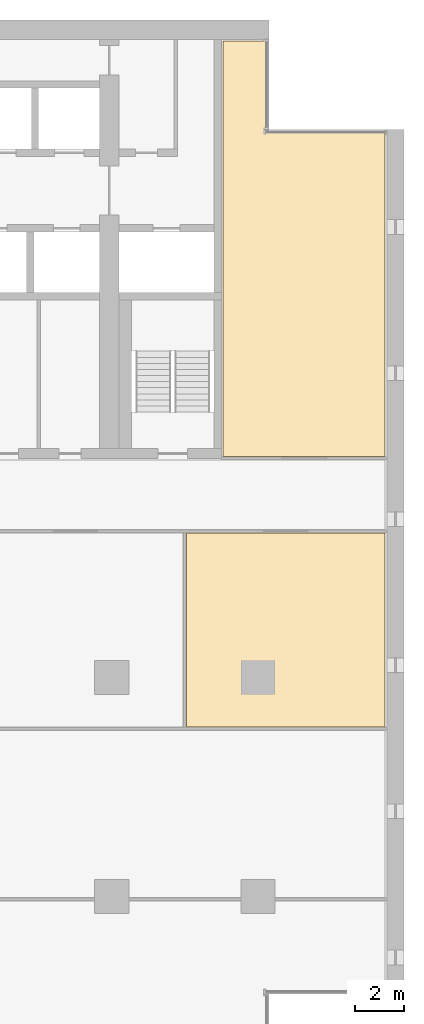
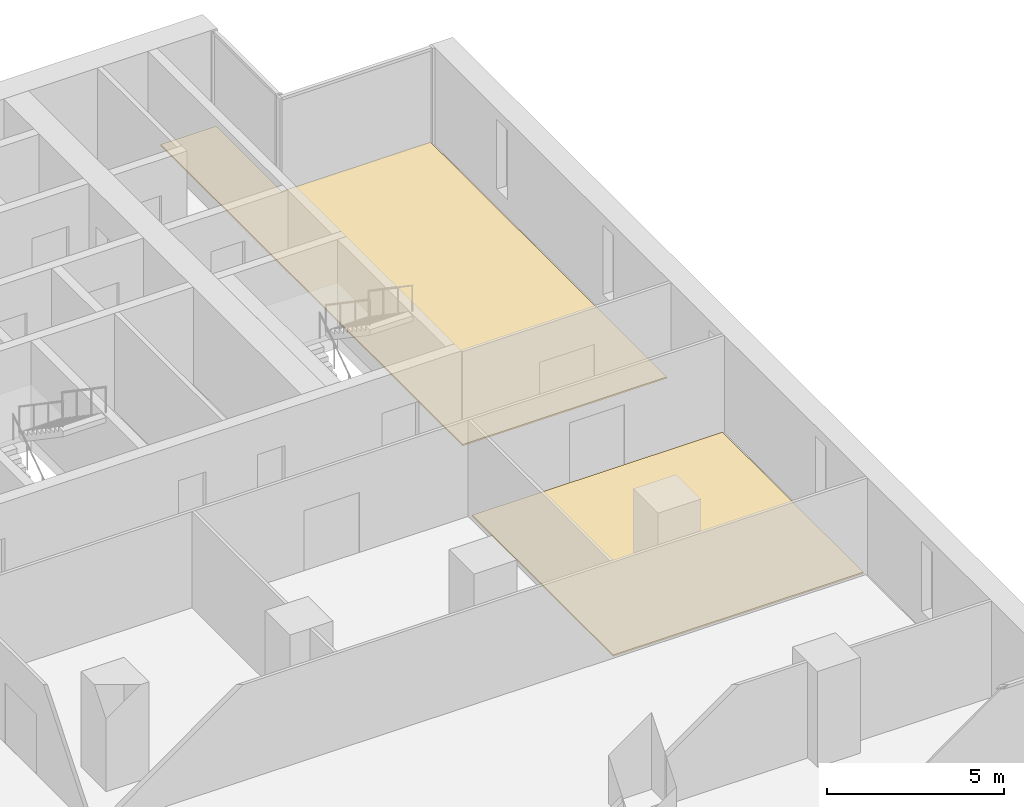
# One storey, part 17 of 17: 2 coverings.
"""IFC4 building model written with IfcOpenShell, lengths in metres."""

from ifc_helpers import new_model, si_unit, direction, frame, origin, place, context, subcontext, project, spatial, polyline, outline, extrude, material, layer, layer_set, type_object, element, save


model = new_model("IFC4")

# Units and contexts
model_context = context("Model", 3, precision=1e-05, world=origin(), true_north=direction((0.0, 1.0)))
body_context = subcontext(model_context, "Body", "Model", "MODEL_VIEW")
ifc_project = project(units=[si_unit("LENGTHUNIT", "METRE"), si_unit("AREAUNIT", "SQUARE_METRE"), si_unit("VOLUMEUNIT", "CUBIC_METRE"), si_unit("PLANEANGLEUNIT", "RADIAN"), si_unit("MASSUNIT", "GRAM", prefix="KILO")], contexts=[model_context])

# Site, building, storey
site_placement = place(None, origin())
site = spatial("IfcSite", under=ifc_project, at=site_placement, CompositionType="ELEMENT")
building_placement = place(site_placement, origin())
building = spatial("IfcBuilding", under=site, at=building_placement, Name="Calvaro Tower", CompositionType="ELEMENT")
storey_placement = place(building_placement, frame((0.0, 0.0, 102.5)))
storey = spatial("IfcBuildingStorey", under=building, at=storey_placement, Name="L25", CompositionType="ELEMENT", Elevation=102.5)

# Coverings
ifc_material = material(Name="Cement screed with carpet tile finish")
ifc_layer = layer(ifc_material, 0.050048828125)
ifc_layer_set = layer_set([ifc_layer], Name="Cement screed with carpet tile finish")
covering_type = type_object("IfcCoveringType", Name="Floor finish 50", PredefinedType="FLOORING", material=ifc_layer_set)
covering_1_placement = place(storey_placement, origin())
element("IfcCovering", 1, at=covering_1_placement, inside=storey, type_object=covering_type, Name="Floor finish 16.13", PredefinedType="FLOORING", context=body_context, shape_type="SweptSolid", body=[
    extrude(outline(polyline([(71.22998046875, 16.969970703125), (63.070068359375, 16.969970703125), (63.070068359375, 24.929931640625), (71.22998046875, 24.929931640625), (71.22998046875, 16.969970703125)])), origin(), (0.0, 0.0, 1.0), 0.050048828125),
])
covering_2_placement = place(storey_placement, origin())
element("IfcCovering", 2, at=covering_2_placement, inside=storey, type_object=covering_type, Name="Floor finish 16.17", PredefinedType="FLOORING", context=body_context, shape_type="SweptSolid", body=[
    extrude(outline(polyline([(71.22998046875, 28.070068359375), (64.570068359375, 28.070068359375), (64.570068359375, 45.1298828125), (66.3798828125, 45.1298828125), (66.3798828125, 41.429931640625), (71.22998046875, 41.429931640625), (71.22998046875, 28.070068359375)])), origin(), (0.0, 0.0, 1.0), 0.050048828125),
])

save(model, "model.ifc")
